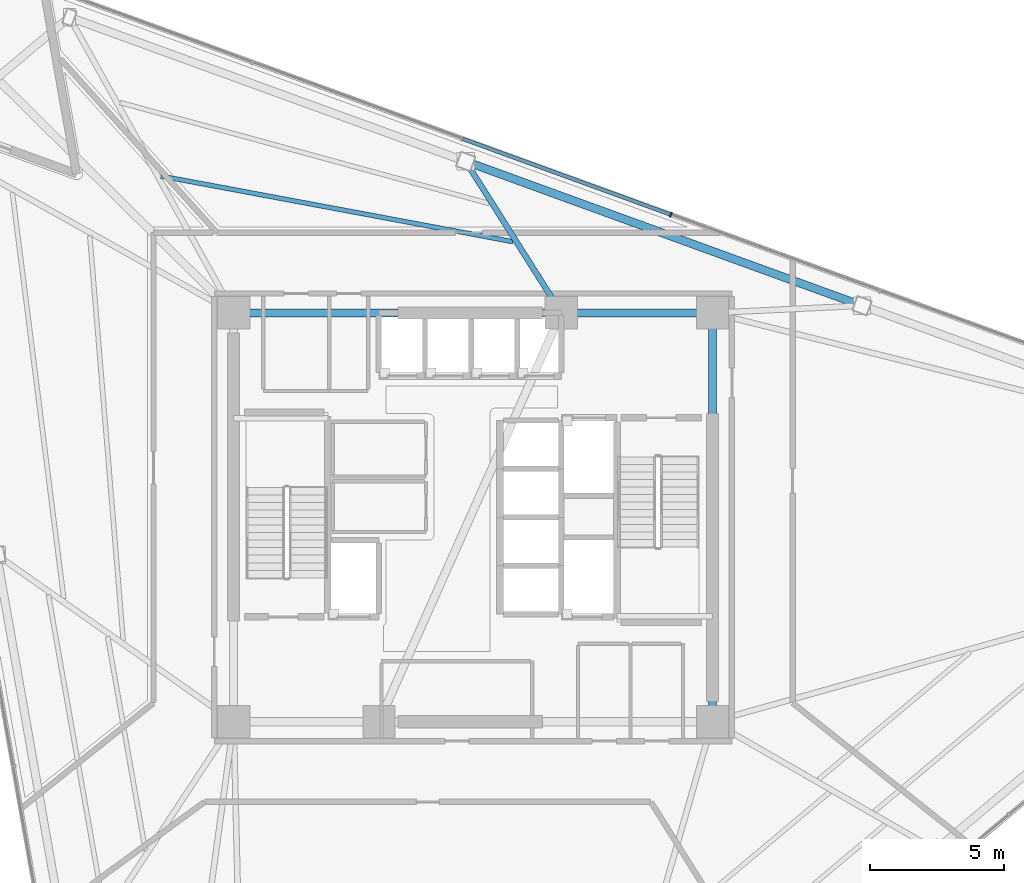
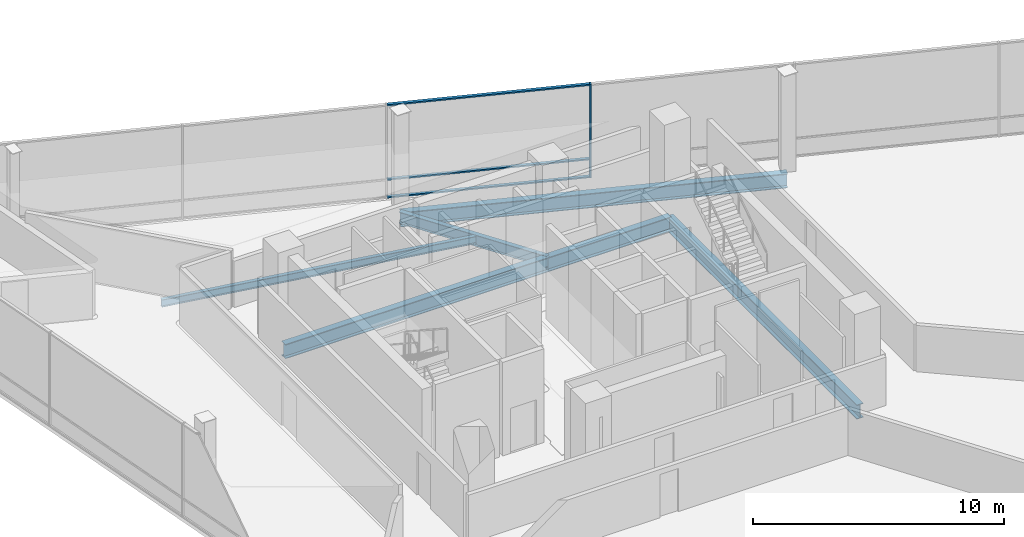
# One storey, part 6 of 15: 6 beams, 4 members, 1 element without a shape of its own.
"""IFC4 building model written with IfcOpenShell, lengths in metres."""

import ifcopenshell
import ifcopenshell.guid

model = None  # the IFC model being written
_history = None  # IfcOwnerHistory: only IFC2X3 demands one
_inside = {}  # id of a spatial element -> (the spatial element, [elements in it])
_under = {}  # id of a project, library or spatial element -> (it, [spatial elements below it])
_declared = {}  # id of a project -> (the project, [libraries it declares])
_typed = {}  # id of a type object -> (the type object, [elements of that type])
_made_of = {}  # id of a material, layer set ... -> (it, [elements and type objects made of it])


def new_model(schema):
    """Start an empty IFC model of exactly this schema.

    Asked for "IFC4X3", IfcOpenShell would pick the latest addendum, in which some entities
    have other attributes; the version numbers below select the first issue.
    IFC2X3 requires an IfcOwnerHistory on every rooted entity: one is made here for all.
    """
    global model, _history
    if schema == "IFC4X3":
        model = ifcopenshell.file(schema_version=(4, 3, 0, 0))
    else:
        model = ifcopenshell.file(schema=schema)
    _inside.clear()
    _under.clear()
    _declared.clear()
    _typed.clear()
    _made_of.clear()
    _history = None
    if model.schema == "IFC2X3":
        org = make("IfcOrganization", Name="unknown")
        user = make(
            "IfcPersonAndOrganization",
            ThePerson=make("IfcPerson", FamilyName="unknown"),
            TheOrganization=org,
        )
        app = make(
            "IfcApplication",
            ApplicationDeveloper=org,
            Version="unknown",
            ApplicationFullName="unknown",
            ApplicationIdentifier="unknown",
        )
        _history = make(
            "IfcOwnerHistory",
            OwningUser=user,
            OwningApplication=app,
            ChangeAction="ADDED",
            CreationDate=0,
        )
    return model


def make(cls, **values):
    """One entity of the class cls with the attributes given. An attribute that is None is left unset."""
    return model.create_entity(
        cls, **{name: value for name, value in values.items() if value is not None}
    )


def rooted(cls, **values):
    """An entity with a GlobalId (a new one), such as an element, a storey or a relation."""
    return make(cls, GlobalId=ifcopenshell.guid.new(), OwnerHistory=_history, **values)


def si_unit(unit_type, name, prefix=None):
    """IfcSIUnit, for example si_unit("LENGTHUNIT", "METRE", prefix="MILLI")."""
    return make("IfcSIUnit", UnitType=unit_type, Prefix=prefix, Name=name)


def assignment(units):
    """IfcUnitAssignment: the units of a project."""
    return None if units is None else make("IfcUnitAssignment", Units=units)


def point(xyz):
    """IfcCartesianPoint."""
    return None if xyz is None else make("IfcCartesianPoint", Coordinates=xyz)


def direction(xyz):
    """IfcDirection."""
    return None if xyz is None else make("IfcDirection", DirectionRatios=xyz)


def frame(location, z_axis=None, x_axis=None):
    """IfcAxis2Placement3D, a coordinate frame: its origin and axes. An axis left out is left unset."""
    return make(
        "IfcAxis2Placement3D",
        Location=point(location),
        Axis=direction(z_axis),
        RefDirection=direction(x_axis),
    )


def frame_2d(location, x_axis=None):
    """IfcAxis2Placement2D, a coordinate frame in the plane: its origin and x axis."""
    return make(
        "IfcAxis2Placement2D", Location=point(location), RefDirection=direction(x_axis)
    )


def origin():
    """The frame at (0, 0, 0) with its axes left unset."""
    return frame((0.0, 0.0, 0.0))


def origin_2d():
    """The frame at (0, 0) in the plane with its x axis left unset."""
    return frame_2d((0.0, 0.0))


def place(relative_to, where):
    """IfcLocalPlacement: puts the frame where relative to a parent placement (None: the world)."""
    return make(
        "IfcLocalPlacement", PlacementRelTo=relative_to, RelativePlacement=where
    )


def context(
    kind, dimensions, precision=None, world=None, true_north=None, identifier=None
):
    """IfcGeometricRepresentationContext, for example the 3D "Model" context."""
    return make(
        "IfcGeometricRepresentationContext",
        ContextIdentifier=identifier,
        ContextType=kind,
        CoordinateSpaceDimension=dimensions,
        Precision=precision,
        WorldCoordinateSystem=world,
        TrueNorth=true_north,
    )


def subcontext(parent, identifier, kind, view, scale=None):
    """IfcGeometricRepresentationSubContext, for example "Body" below "Model"."""
    return make(
        "IfcGeometricRepresentationSubContext",
        ContextIdentifier=identifier,
        ContextType=kind,
        ParentContext=parent,
        TargetScale=scale,
        TargetView=view,
    )


def project(units=None, contexts=None):
    """IfcProject with its units and contexts."""
    return rooted(
        "IfcProject",
        Name="project",
        RepresentationContexts=contexts,
        UnitsInContext=assignment(units),
    )


def spatial(cls, under=None, at=None, **own):
    """A site, building, storey or space (cls), placed at a placement, below another one or the project."""
    s = rooted(cls, ObjectPlacement=at, **own)
    if under is not None:
        _under.setdefault(under.id(), (under, []))[1].append(s)
    return s


def profile(cls, at=None, kind="AREA", **sizes):
    """A parametric profile (cls). Its sizes go by their IFC names, for example OverallWidth=200.0."""
    return make(cls, ProfileType=kind, Position=at, **sizes)


def rectangle(**sizes):
    """IfcRectangleProfileDef."""
    return profile("IfcRectangleProfileDef", **sizes)


def i_section(**sizes):
    """IfcIShapeProfileDef."""
    return profile("IfcIShapeProfileDef", **sizes)


def extrude(swept, where, along, depth):
    """IfcExtrudedAreaSolid: the profile swept, set in the frame where, extruded along a direction by depth."""
    return make(
        "IfcExtrudedAreaSolid",
        SweptArea=swept,
        Position=where,
        ExtrudedDirection=direction(along),
        Depth=depth,
    )


def shape(context_of_items, identifier, shape_type, items):
    """IfcShapeRepresentation: the items that make up one representation, for example the "Body"."""
    return make(
        "IfcShapeRepresentation",
        ContextOfItems=context_of_items,
        RepresentationIdentifier=identifier,
        RepresentationType=shape_type,
        Items=items,
    )


def material(Name=None, Category=None):
    """IfcMaterial."""
    return make("IfcMaterial", Name=Name, Category=Category)


def layer(
    of_material, thickness, ventilated=None, Name=None, Category=None, Priority=None
):
    """IfcMaterialLayer: one layer of a wall or slab, of a material (None: an air gap)."""
    return make(
        "IfcMaterialLayer",
        Material=of_material,
        LayerThickness=thickness,
        IsVentilated=ventilated,
        Name=Name,
        Category=Category,
        Priority=Priority,
    )


def layer_set(layers, Name=None):
    """IfcMaterialLayerSet."""
    return make("IfcMaterialLayerSet", MaterialLayers=layers, LayerSetName=Name)


def material_profile(
    of_material, cross_section, Name=None, Category=None, Priority=None
):
    """IfcMaterialProfile: a cross section and its material."""
    return make(
        "IfcMaterialProfile",
        Name=Name,
        Material=of_material,
        Profile=cross_section,
        Priority=Priority,
        Category=Category,
    )


def profile_set(profiles, Name=None, composite=None):
    """IfcMaterialProfileSet."""
    return make(
        "IfcMaterialProfileSet",
        Name=Name,
        MaterialProfiles=profiles,
        CompositeProfile=composite,
    )


def made_of(thing, what):
    """Note that an element or type object is made of a material, layer set ...; save() writes the relation."""
    if what is not None:
        _made_of.setdefault(what.id(), (what, []))[1].append(thing)
    return thing


def type_object(cls, material=None, **own):
    """A type object (cls), such as IfcWallType, which elements share."""
    return made_of(rooted(cls, **own), material)


def element(
    cls,
    number,
    at=None,
    inside=None,
    cuts=None,
    type_object=None,
    material=None,
    context=None,
    identifier="Body",
    shape_type=None,
    held_by="IfcProductDefinitionShape",
    body=None,
    shapes=None,
    **own,
):
    """One element of the class cls, such as IfcWall. Its Tag is "e" and its number.

    at: its placement. inside: the storey or other place that contains it. cuts: it is an
    opening in that element (IfcRelVoidsElement). A single representation is given by context,
    identifier, shape_type and body (its items); several are given by shapes. held_by: the class
    of the entity that holds the representations. save() writes the other relations.
    """
    e = rooted(cls, Tag="e%d" % number, ObjectPlacement=at, **own)
    if body is not None:
        shapes = [shape(context, identifier, shape_type, body)]
    if shapes is not None:
        e.Representation = make(held_by, Representations=shapes)
    if inside is not None:
        _inside.setdefault(inside.id(), (inside, []))[1].append(e)
    if cuts is not None:
        rooted(
            "IfcRelVoidsElement", RelatingBuildingElement=cuts, RelatedOpeningElement=e
        )
    if type_object is not None:
        _typed.setdefault(type_object.id(), (type_object, []))[1].append(e)
    return made_of(e, material)


def aggregate(whole, parts):
    """IfcRelAggregates: a whole, such as a stair, and the parts it consists of."""
    return rooted("IfcRelAggregates", RelatingObject=whole, RelatedObjects=parts)


def save(model, path):
    """Write the relations noted so far, then the file.

    IfcRelAggregates (storeys below a building ...), IfcRelContainedInSpatialStructure (elements
    in a storey), IfcRelDefinesByType, IfcRelAssociatesMaterial and IfcRelDeclares: one each for
    every whole, place, type object, material and project.
    """
    for whole, parts in _under.values():
        aggregate(whole, parts)
    for where, things in _inside.values():
        rooted(
            "IfcRelContainedInSpatialStructure",
            RelatedElements=things,
            RelatingStructure=where,
        )
    for kind, things in _typed.values():
        rooted("IfcRelDefinesByType", RelatedObjects=things, RelatingType=kind)
    for what, things in _made_of.values():
        rooted("IfcRelAssociatesMaterial", RelatedObjects=things, RelatingMaterial=what)
    for by, libraries in _declared.values():
        rooted("IfcRelDeclares", RelatingContext=by, RelatedDefinitions=libraries)
    model.write(path)


model = new_model("IFC4")

# Units and contexts
model_context = context("Model", 3, precision=1e-05, world=origin(), true_north=direction((0.0, 1.0)))
body_context = subcontext(model_context, "Body", "Model", "MODEL_VIEW")
ifc_project = project(units=[si_unit("LENGTHUNIT", "METRE"), si_unit("AREAUNIT", "SQUARE_METRE"), si_unit("VOLUMEUNIT", "CUBIC_METRE"), si_unit("PLANEANGLEUNIT", "RADIAN"), si_unit("MASSUNIT", "GRAM", prefix="KILO")], contexts=[model_context])

# Site, building, storey
site_placement = place(None, origin())
site = spatial("IfcSite", under=ifc_project, at=site_placement, CompositionType="ELEMENT")
building_placement = place(site_placement, origin())
building = spatial("IfcBuilding", under=site, at=building_placement, Name="Tharavind Bronze Gate", CompositionType="ELEMENT")
storey_placement = place(building_placement, frame((0.0, 0.0, 192.10009765625)))
storey = spatial("IfcBuildingStorey", under=building, at=storey_placement, Name="L49", CompositionType="ELEMENT", Elevation=192.10009765625)

# Curtain wall, members
ifc_material_1 = material(Name="Anodised Bronze Aluminium", Category="aluminium")
ifc_layer = layer(ifc_material_1, 0.219970703125)
ifc_layer_set = layer_set([ifc_layer], Name="Anodised Bronze Aluminium")
curtain_wall_type = type_object("IfcCurtainWallType", Name="UNITISED CURTAIN WALL MID OFFICE", PredefinedType="USERDEFINED", material=ifc_layer_set)
curtain_wall_placement = place(storey_placement, origin())
curtain_wall = element("IfcCurtainWall", 1, at=curtain_wall_placement, inside=storey, type_object=curtain_wall_type, Name="L49 unitised curtain wall mid office CW-L49-S3", ObjectType="UNITISED CURTAIN WALL", PredefinedType="USERDEFINED")
member_type_1 = type_object("IfcMemberType", Name="CURTAIN WALL BRONZE MULLION 65X180", PredefinedType="MULLION", material=ifc_material_1)
member_1_placement = place(storey_placement, frame((7.35009765625, 11.25439453125, -0.000244140625), z_axis=(0.0, 0.0, 1.0), x_axis=(-0.939692023847, 0.342021783398, 0.0)))
member_1 = element("IfcMember", 2, at=member_1_placement, type_object=member_type_1, Name="CW-L49-S3 mullion 4", PredefinedType="MULLION", context=body_context, shape_type="SweptSolid", body=[
    extrude(rectangle(XDim=0.06494140625, YDim=0.179931640625, at=origin_2d()), origin(), (0.0, 0.0, 1.0), 4.56005859375),
])
member_type_2 = type_object("IfcMemberType", Name="CURTAIN WALL BRONZE TRANSOM 65X140", PredefinedType="USERDEFINED", material=ifc_material_1)
member_2_placement = place(storey_placement, frame((3.462890625, 12.669189453125, 0.0), z_axis=(0.0, 0.0, 1.0), x_axis=(-0.939692023847, 0.342021783398, 0.0)))
member_2 = element("IfcMember", 3, at=member_2_placement, type_object=member_type_2, Name="CW-L49-S3 transom TB4", ObjectType="TRANSOM", PredefinedType="USERDEFINED", context=body_context, shape_type="SweptSolid", body=[
    extrude(rectangle(XDim=8.220458984375, YDim=0.139892578125, at=origin_2d()), origin(), (0.0, 0.0, 1.0), 0.06494140625),
])
member_3_placement = place(storey_placement, frame((3.462890625, 12.669189453125, 0.867431640625), z_axis=(0.0, 0.0, 1.0), x_axis=(-0.939692023847, 0.342021783398, 0.0)))
member_3 = element("IfcMember", 4, at=member_3_placement, type_object=member_type_2, Name="CW-L49-S3 transom TS4", ObjectType="TRANSOM", PredefinedType="USERDEFINED", context=body_context, shape_type="SweptSolid", body=[
    extrude(rectangle(XDim=8.220458984375, YDim=0.139892578125, at=origin_2d()), origin(), (0.0, 0.0, 1.0), 0.06494140625),
])
member_4_placement = place(storey_placement, frame((3.462890625, 12.669189453125, 4.494873046875), z_axis=(0.0, 0.0, 1.0), x_axis=(-0.939692023847, 0.342021783398, 0.0)))
member_4 = element("IfcMember", 5, at=member_4_placement, type_object=member_type_2, Name="CW-L49-S3 transom TT4", ObjectType="TRANSOM", PredefinedType="USERDEFINED", context=body_context, shape_type="SweptSolid", body=[
    extrude(rectangle(XDim=8.220458984375, YDim=0.139892578125, at=origin_2d()), origin(), (0.0, 0.0, 1.0), 0.06494140625),
])
aggregate(curtain_wall, [member_1, member_2, member_3, member_4])

# Beams
ifc_material_2 = material(Name="Steel S355", Category="steel")
ifc_material_profile_1 = material_profile(ifc_material_2, i_section(OverallWidth=0.2099609375, OverallDepth=0.550048828125, WebThickness=0.010986328125, FlangeThickness=0.01708984375, at=origin_2d()), Name="IPE550")
ifc_profile_set_1 = profile_set([ifc_material_profile_1], Name="Steel S355")
beam_type_1 = type_object("IfcBeamType", Name="PRIMARY GIRDER IPE550", PredefinedType="USERDEFINED", material=ifc_profile_set_1)
beam_1_placement = place(storey_placement, frame((-0.27392578125, 13.231201171875, -0.455078125), z_axis=(0.53372121288, -0.845660491522, 0.0), x_axis=(0.845660491522, 0.53372121288, 0.0)))
element("IfcBeam", 6, at=beam_1_placement, inside=storey, type_object=beam_type_1, Name="L49 primary girder ipe550 BM-L49-RAD11", ObjectType="GIRDER", PredefinedType="USERDEFINED", context=body_context, shape_type="SweptSolid", body=[
    extrude(i_section(OverallWidth=0.2099609375, OverallDepth=0.550048828125, WebThickness=0.010986328125, FlangeThickness=0.01708984375, at=origin_2d()), origin(), (0.0, 0.0, 1.0), 6.658935546875),
])
ifc_material_profile_2 = material_profile(ifc_material_2, i_section(OverallWidth=0.300048828125, OverallDepth=0.699951171875, WebThickness=0.01708984375, FlangeThickness=0.031982421875, at=origin_2d()), Name="HE700B")
ifc_profile_set_2 = profile_set([ifc_material_profile_2], Name="Steel S355")
beam_type_2 = type_object("IfcBeamType", Name="RING GIRDER HE700B", PredefinedType="USERDEFINED", material=ifc_profile_set_2)
beam_2_placement = place(storey_placement, frame((8.89990234375, -7.60009765625, -0.530029296875), z_axis=(0.0, 1.0, 0.0), x_axis=(-1.0, 0.0, 0.0)))
element("IfcBeam", 7, at=beam_2_placement, inside=storey, type_object=beam_type_2, Name="L49 ring girder he700b BM-L49-CR3", ObjectType="GIRDER", PredefinedType="USERDEFINED", context=body_context, shape_type="SweptSolid", body=[
    extrude(i_section(OverallWidth=0.300048828125, OverallDepth=0.699951171875, WebThickness=0.01708984375, FlangeThickness=0.031982421875, at=origin_2d()), origin(), (0.0, 0.0, 1.0), 15.2001953125),
])
beam_3_placement = place(storey_placement, frame((8.89990234375, 7.60009765625, -0.530029296875), z_axis=(-1.0, 0.0, 0.0), x_axis=(0.0, -1.0, 0.0)))
element("IfcBeam", 8, at=beam_3_placement, inside=storey, type_object=beam_type_2, Name="L49 ring girder he700b BM-L49-CR4", ObjectType="GIRDER", PredefinedType="USERDEFINED", context=body_context, shape_type="SweptSolid", body=[
    extrude(i_section(OverallWidth=0.300048828125, OverallDepth=0.699951171875, WebThickness=0.01708984375, FlangeThickness=0.031982421875, at=origin_2d()), origin(), (0.0, 0.0, 1.0), 5.619873046875),
])
beam_4_placement = place(storey_placement, frame((3.280029296875, 7.60009765625, -0.530029296875), z_axis=(-1.0, 0.0, 0.0), x_axis=(0.0, -1.0, 0.0)))
element("IfcBeam", 9, at=beam_4_placement, inside=storey, type_object=beam_type_2, Name="L49 ring girder he700b BM-L49-CR5", ObjectType="GIRDER", PredefinedType="USERDEFINED", context=body_context, shape_type="SweptSolid", body=[
    extrude(i_section(OverallWidth=0.300048828125, OverallDepth=0.699951171875, WebThickness=0.01708984375, FlangeThickness=0.031982421875, at=origin_2d()), origin(), (0.0, 0.0, 1.0), 12.179931640625),
])
beam_5_placement = place(storey_placement, frame((14.461181640625, 7.867919921875, -0.530029296875), z_axis=(-0.939689735949, 0.342028069246, 0.0), x_axis=(-0.342028069246, -0.939689735949, 0.0)))
element("IfcBeam", 10, at=beam_5_placement, inside=storey, type_object=beam_type_2, Name="L49 ring girder he700b BM-L49-PRG10", ObjectType="GIRDER", PredefinedType="USERDEFINED", context=body_context, shape_type="SweptSolid", body=[
    extrude(i_section(OverallWidth=0.300048828125, OverallDepth=0.699951171875, WebThickness=0.01708984375, FlangeThickness=0.031982421875, at=origin_2d()), origin(), (0.0, 0.0, 1.0), 15.680908203125),
])
ifc_material_profile_3 = material_profile(ifc_material_2, i_section(OverallWidth=0.169921875, OverallDepth=0.360107421875, WebThickness=0.008056640625, FlangeThickness=0.0126953125, at=origin_2d()), Name="IPE360")
ifc_profile_set_3 = profile_set([ifc_material_profile_3], Name="Steel S355")
beam_type_3 = type_object("IfcBeamType", Name="SECONDARY FLOOR JOIST IPE360", PredefinedType="JOIST", material=ifc_profile_set_3)
beam_6_placement = place(storey_placement, frame((1.48291015625, 10.245361328125, -0.360107421875), z_axis=(-0.98304057782, 0.183388173989, 0.0), x_axis=(-0.183388173989, -0.98304057782, 0.0)))
element("IfcBeam", 11, at=beam_6_placement, inside=storey, type_object=beam_type_3, Name="L49 secondary floor joist ipe360 BM-L49-JSTA11", PredefinedType="JOIST", context=body_context, shape_type="SweptSolid", body=[
    extrude(i_section(OverallWidth=0.169921875, OverallDepth=0.360107421875, WebThickness=0.008056640625, FlangeThickness=0.0126953125, at=origin_2d()), origin(), (0.0, 0.0, 1.0), 13.3115234375),
])

save(model, "model.ifc")
